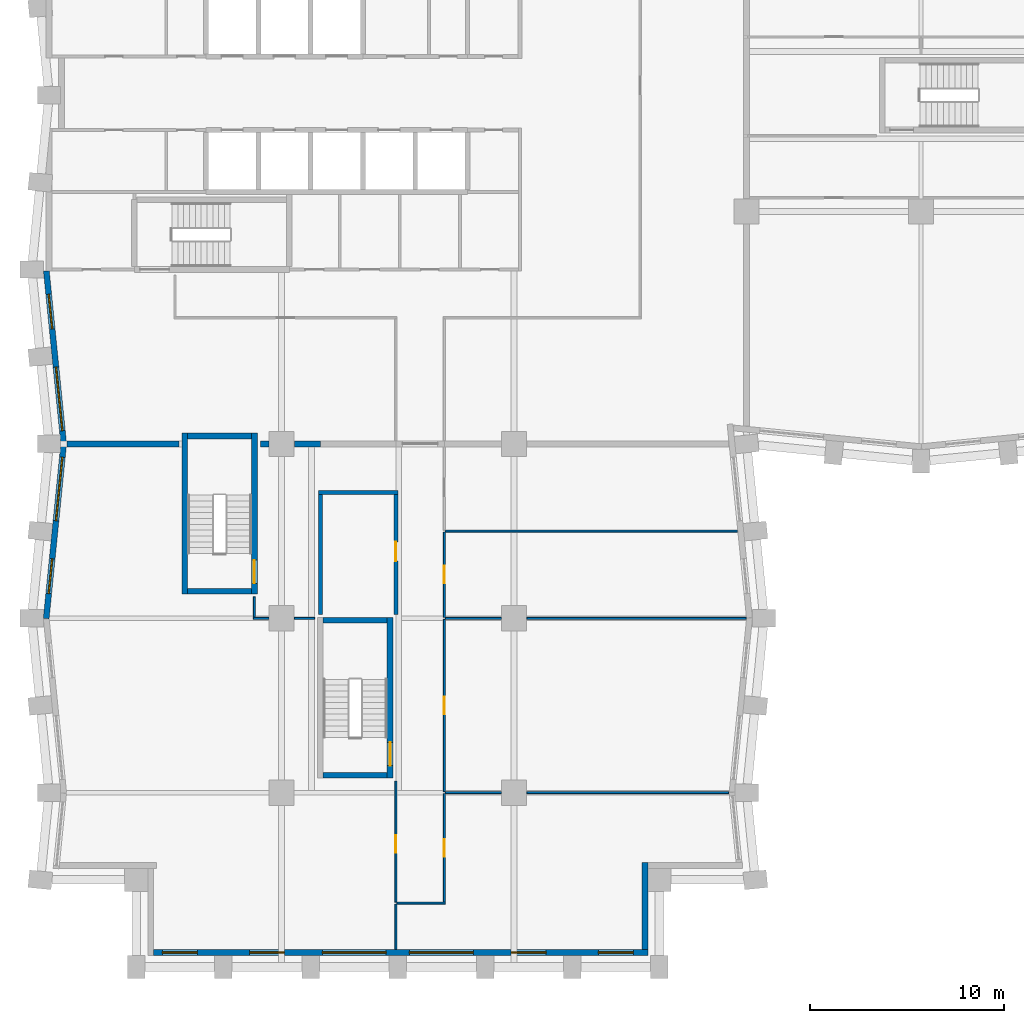
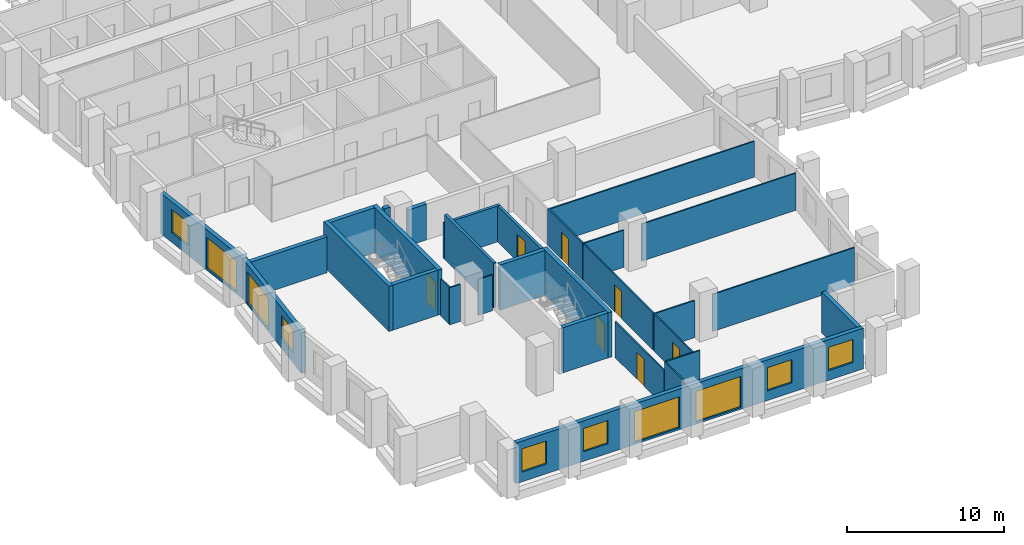
# One storey, part 3 of 11: 31 walls, 10 windows, 7 doors, 17 openings.
"""IFC4 building model written with IfcOpenShell, lengths in metres."""

from ifc_helpers import new_model, si_unit, direction, frame, frame_2d, origin, place, context, subcontext, project, spatial, rectangle, extrude, material, layer, layer_set, type_object, element, fill, save


model = new_model("IFC4")

# Units and contexts
model_context = context("Model", 3, precision=1e-05, world=origin(), true_north=direction((0.0, 1.0)))
body_context = subcontext(model_context, "Body", "Model", "MODEL_VIEW")
ifc_project = project(units=[si_unit("LENGTHUNIT", "METRE"), si_unit("AREAUNIT", "SQUARE_METRE"), si_unit("VOLUMEUNIT", "CUBIC_METRE"), si_unit("PLANEANGLEUNIT", "RADIAN"), si_unit("MASSUNIT", "GRAM", prefix="KILO")], contexts=[model_context])

# Site, building, storey
site_placement = place(None, origin())
site = spatial("IfcSite", under=ifc_project, at=site_placement, CompositionType="ELEMENT")
building_placement = place(site_placement, origin())
building = spatial("IfcBuilding", under=site, at=building_placement, Name="Brondeck Convention Tower", CompositionType="ELEMENT")
storey_placement = place(building_placement, frame((0.0, 0.0, 103.699951171875)))
storey = spatial("IfcBuildingStorey", under=building, at=storey_placement, Name="L24", CompositionType="ELEMENT", Elevation=103.699951171875)

# Walls
ifc_material_1 = material(Name="Concrete compartment wall C30/37", Category="concrete")
ifc_layer_1 = layer(ifc_material_1, 0.300048828125)
ifc_layer_set_1 = layer_set([ifc_layer_1], Name="Compartment wall 300")
wall_type_1 = type_object("IfcWallType", Name="Compartment wall 300", PredefinedType="PARTITIONING", material=ifc_layer_set_1)
wall_1_placement = place(storey_placement, frame((0.924560546875, 27.0, 0.0), z_axis=(0.0, 0.0, 1.0), x_axis=(1.0, 0.0, 0.0)))
element("IfcWall", 1, at=wall_1_placement, inside=storey, type_object=wall_type_1, Name="FLR-L24-W019", PredefinedType="PARTITIONING", context=body_context, shape_type="SweptSolid", body=[
    extrude(rectangle(XDim=5.775390625, YDim=0.300048828125, at=frame_2d((2.8876953125, 0.0))), origin(), (0.0, 0.0, 1.0), 2.780029296875),
])
wall_2_placement = place(storey_placement, frame((10.89990234375, 27.0, 0.0), z_axis=(0.0, 0.0, 1.0), x_axis=(1.0, 0.0, 0.0)))
element("IfcWall", 2, at=wall_2_placement, inside=storey, type_object=wall_type_1, Name="FLR-L24-W020", PredefinedType="PARTITIONING", context=body_context, shape_type="SweptSolid", body=[
    extrude(rectangle(XDim=0.445068359375, YDim=0.300048828125, at=frame_2d((0.22265625, 0.0))), origin(), (0.0, 0.0, 1.0), 3.47998046875),
])
wall_3_placement = place(storey_placement, frame((12.655029296875, 27.0, 0.0), z_axis=(0.0, 0.0, 1.0), x_axis=(1.0, 0.0, 0.0)))
element("IfcWall", 3, at=wall_3_placement, inside=storey, type_object=wall_type_1, Name="FLR-L24-W021", PredefinedType="PARTITIONING", context=body_context, shape_type="SweptSolid", body=[
    extrude(rectangle(XDim=1.344970703125, YDim=0.300048828125, at=frame_2d((0.67236328125, 0.0))), origin(), (0.0, 0.0, 1.0), 2.780029296875),
])

# Wall, openings, windows
ifc_material_2 = material(Name="Precast concrete C50/60 bronze finish", Category="concrete")
ifc_layer_2 = layer(ifc_material_2, 0.070068359375, Name="Bronze precast facing")
ifc_material_3 = material(Name="Mineral wool")
ifc_layer_3 = layer(ifc_material_3, 0.159912109375, Name="Insulation")
ifc_material_4 = material(Name="Concrete C35/45", Category="concrete")
ifc_layer_4 = layer(ifc_material_4, 0.070068359375, Name="Backing")
ifc_layer_set_2 = layer_set([ifc_layer_2, ifc_layer_3, ifc_layer_4], Name="External infill wall, precast concrete C50/60 bronze facing")
wall_type_2 = type_object("IfcWallType", Name="External infill wall, precast concrete C50/60 bronze facing", PredefinedType="SOLIDWALL", material=ifc_layer_set_2)
wall_4_placement = place(storey_placement, frame((30.89990234375, 0.75, 0.0), z_axis=(0.0, 0.0, 1.0), x_axis=(-1.0, 0.0, 0.0)))
wall_4 = element("IfcWall", 4, at=wall_4_placement, inside=storey, type_object=wall_type_2, Name="ENV-EW-L24-P0-B-S0-01", PredefinedType="SOLIDWALL", context=body_context, shape_type="SweptSolid", body=[
    extrude(rectangle(XDim=25.5, YDim=0.300048828125, at=frame_2d((12.75, 0.0))), origin(), (0.0, 0.0, 1.0), 3.150146484375),
])
opening_1_placement = place(wall_4_placement, frame((0.75, 0.0, 0.75)))
opening_1 = element("IfcOpeningElement", 5, at=opening_1_placement, cuts=wall_4, Name="Opening W10", PredefinedType="OPENING", context=body_context, shape_type="SweptSolid", body=[
    extrude(rectangle(XDim=1.800048828125, YDim=1.800048828125, at=frame_2d((0.89990234375, 0.89990234375))), frame((0.0, 0.159912109375, 0.0), z_axis=(0.0, -1.0, 0.0), x_axis=(1.0, 0.0, 0.0)), (0.0, 0.0, 1.0), 0.320068359375),
])
opening_2_placement = place(wall_4_placement, frame((5.25, 0.0, 0.75)))
opening_2 = element("IfcOpeningElement", 6, at=opening_2_placement, cuts=wall_4, Name="Opening W10", PredefinedType="OPENING", context=body_context, shape_type="SweptSolid", body=[
    extrude(rectangle(XDim=1.800048828125, YDim=1.800048828125, at=frame_2d((0.89990234375, 0.89990234375))), frame((0.0, 0.159912109375, 0.0), z_axis=(0.0, -1.0, 0.0), x_axis=(1.0, 0.0, 0.0)), (0.0, 0.0, 1.0), 0.320068359375),
])
opening_3_placement = place(wall_4_placement, frame((9.0, 0.0, 0.14990234375)))
opening_3 = element("IfcOpeningElement", 7, at=opening_3_placement, cuts=wall_4, Name="Opening W9", PredefinedType="OPENING", context=body_context, shape_type="SweptSolid", body=[
    extrude(rectangle(XDim=3.300048828125, YDim=2.39990234375, at=frame_2d((1.64990234375, 1.199951171875))), frame((0.0, 0.159912109375, 0.0), z_axis=(0.0, -1.0, 0.0), x_axis=(1.0, 0.0, 0.0)), (0.0, 0.0, 1.0), 0.320068359375),
])
opening_4_placement = place(wall_4_placement, frame((13.5, 0.0, 0.14990234375)))
opening_4 = element("IfcOpeningElement", 8, at=opening_4_placement, cuts=wall_4, Name="Opening W9", PredefinedType="OPENING", context=body_context, shape_type="SweptSolid", body=[
    extrude(rectangle(XDim=3.300048828125, YDim=2.39990234375, at=frame_2d((1.64990234375, 1.199951171875))), frame((0.0, 0.159912109375, 0.0), z_axis=(0.0, -1.0, 0.0), x_axis=(1.0, 0.0, 0.0)), (0.0, 0.0, 1.0), 0.320068359375),
])
opening_5_placement = place(wall_4_placement, frame((18.75, 0.0, 0.75)))
opening_5 = element("IfcOpeningElement", 9, at=opening_5_placement, cuts=wall_4, Name="Opening W10", PredefinedType="OPENING", context=body_context, shape_type="SweptSolid", body=[
    extrude(rectangle(XDim=1.800048828125, YDim=1.800048828125, at=frame_2d((0.89990234375, 0.89990234375))), frame((0.0, 0.159912109375, 0.0), z_axis=(0.0, -1.0, 0.0), x_axis=(1.0, 0.0, 0.0)), (0.0, 0.0, 1.0), 0.320068359375),
])
opening_6_placement = place(wall_4_placement, frame((23.25, 0.0, 0.75)))
opening_6 = element("IfcOpeningElement", 10, at=opening_6_placement, cuts=wall_4, Name="Opening W10", PredefinedType="OPENING", context=body_context, shape_type="SweptSolid", body=[
    extrude(rectangle(XDim=1.800048828125, YDim=1.800048828125, at=frame_2d((0.89990234375, 0.89990234375))), frame((0.0, 0.159912109375, 0.0), z_axis=(0.0, -1.0, 0.0), x_axis=(1.0, 0.0, 0.0)), (0.0, 0.0, 1.0), 0.320068359375),
])
ifc_material_5 = material(Name="Bronze tinted double glazing", Category="glass")
window_type_1 = type_object("IfcWindowType", Name="Glazed flute window, bronze tinted", PartitioningType="SINGLE_PANEL", PredefinedType="WINDOW", material=ifc_material_5)
window_1_placement = place(opening_3_placement, origin())
window_1 = element("IfcWindow", 11, at=window_1_placement, inside=storey, type_object=window_type_1, Name="ENV-WN-L24-P0-B-S0-04", OverallHeight=2.39990234375, OverallWidth=3.300048828125, PartitioningType="SINGLE_PANEL", PredefinedType="WINDOW", context=body_context, shape_type="SweptSolid", body=[
    extrude(rectangle(XDim=3.300048828125, YDim=2.39990234375, at=frame_2d((1.64990234375, 1.199951171875))), frame((0.0, 0.030029296875, 0.0), z_axis=(0.0, -1.0, 0.0), x_axis=(1.0, 0.0, 0.0)), (0.0, 0.0, 1.0), 0.06005859375),
])
fill(opening_3, window_1)
window_2_placement = place(opening_4_placement, origin())
window_2 = element("IfcWindow", 12, at=window_2_placement, inside=storey, type_object=window_type_1, Name="ENV-WN-L24-P0-B-S0-03", OverallHeight=2.39990234375, OverallWidth=3.300048828125, PartitioningType="SINGLE_PANEL", PredefinedType="WINDOW", context=body_context, shape_type="SweptSolid", body=[
    extrude(rectangle(XDim=3.300048828125, YDim=2.39990234375, at=frame_2d((1.64990234375, 1.199951171875))), frame((0.0, 0.030029296875, 0.0), z_axis=(0.0, -1.0, 0.0), x_axis=(1.0, 0.0, 0.0)), (0.0, 0.0, 1.0), 0.06005859375),
])
fill(opening_4, window_2)
window_type_2 = type_object("IfcWindowType", Name="Punched window, bronze tinted", PartitioningType="SINGLE_PANEL", PredefinedType="WINDOW", material=ifc_material_5)
window_3_placement = place(opening_1_placement, origin())
window_3 = element("IfcWindow", 13, at=window_3_placement, inside=storey, type_object=window_type_2, Name="ENV-WN-L24-P0-B-S0-06", OverallHeight=1.800048828125, OverallWidth=1.800048828125, PartitioningType="SINGLE_PANEL", PredefinedType="WINDOW", context=body_context, shape_type="SweptSolid", body=[
    extrude(rectangle(XDim=1.800048828125, YDim=1.800048828125, at=frame_2d((0.89990234375, 0.89990234375))), frame((0.0, 0.030029296875, 0.0), z_axis=(0.0, -1.0, 0.0), x_axis=(1.0, 0.0, 0.0)), (0.0, 0.0, 1.0), 0.06005859375),
])
fill(opening_1, window_3)
window_4_placement = place(opening_2_placement, origin())
window_4 = element("IfcWindow", 14, at=window_4_placement, inside=storey, type_object=window_type_2, Name="ENV-WN-L24-P0-B-S0-05", OverallHeight=1.800048828125, OverallWidth=1.800048828125, PartitioningType="SINGLE_PANEL", PredefinedType="WINDOW", context=body_context, shape_type="SweptSolid", body=[
    extrude(rectangle(XDim=1.800048828125, YDim=1.800048828125, at=frame_2d((0.89990234375, 0.89990234375))), frame((0.0, 0.030029296875, 0.0), z_axis=(0.0, -1.0, 0.0), x_axis=(1.0, 0.0, 0.0)), (0.0, 0.0, 1.0), 0.06005859375),
])
fill(opening_2, window_4)
window_5_placement = place(opening_5_placement, origin())
window_5 = element("IfcWindow", 15, at=window_5_placement, inside=storey, type_object=window_type_2, Name="ENV-WN-L24-P0-B-S0-02", OverallHeight=1.800048828125, OverallWidth=1.800048828125, PartitioningType="SINGLE_PANEL", PredefinedType="WINDOW", context=body_context, shape_type="SweptSolid", body=[
    extrude(rectangle(XDim=1.800048828125, YDim=1.800048828125, at=frame_2d((0.89990234375, 0.89990234375))), frame((0.0, 0.030029296875, 0.0), z_axis=(0.0, -1.0, 0.0), x_axis=(1.0, 0.0, 0.0)), (0.0, 0.0, 1.0), 0.06005859375),
])
fill(opening_5, window_5)
window_6_placement = place(opening_6_placement, origin())
window_6 = element("IfcWindow", 16, at=window_6_placement, inside=storey, type_object=window_type_2, Name="ENV-WN-L24-P0-B-S0-01", OverallHeight=1.800048828125, OverallWidth=1.800048828125, PartitioningType="SINGLE_PANEL", PredefinedType="WINDOW", context=body_context, shape_type="SweptSolid", body=[
    extrude(rectangle(XDim=1.800048828125, YDim=1.800048828125, at=frame_2d((0.89990234375, 0.89990234375))), frame((0.0, 0.030029296875, 0.0), z_axis=(0.0, -1.0, 0.0), x_axis=(1.0, 0.0, 0.0)), (0.0, 0.0, 1.0), 0.06005859375),
])
fill(opening_6, window_6)

# Wall
wall_5_placement = place(storey_placement, frame((30.75, 5.39990234375, 0.0), z_axis=(0.0, 0.0, 1.0), x_axis=(0.0, -1.0, 0.0)))
element("IfcWall", 17, at=wall_5_placement, inside=storey, type_object=wall_type_2, Name="ENV-EW-L24-P0-NC-SEB0-01", PredefinedType="SOLIDWALL", context=body_context, shape_type="SweptSolid", body=[
    extrude(rectangle(XDim=4.501953125, YDim=0.300048828125, at=frame_2d((2.2509765625, 0.0))), origin(), (0.0, 0.0, 1.0), 3.150146484375),
])

# Wall, openings, windows
wall_6_placement = place(storey_placement, frame((0.755126953125, 26.985107421875, 0.0), z_axis=(0.0, 0.0, 1.0), x_axis=(-0.099479505633, 0.995039611251, 0.0)))
wall_6 = element("IfcWall", 18, at=wall_6_placement, inside=storey, type_object=wall_type_2, Name="ENV-EW-L24-P0-B-W-06", PredefinedType="SOLIDWALL", context=body_context, shape_type="SweptSolid", body=[
    extrude(rectangle(XDim=8.98486328125, YDim=0.300048828125, at=frame_2d((4.492431640625, 0.0))), origin(), (0.0, 0.0, 1.0), 3.150146484375),
])
opening_7_placement = place(wall_6_placement, frame((0.701171875, 0.0, 0.14990234375)))
opening_7 = element("IfcOpeningElement", 19, at=opening_7_placement, cuts=wall_6, Name="Opening W9", PredefinedType="OPENING", context=body_context, shape_type="SweptSolid", body=[
    extrude(rectangle(XDim=3.300048828125, YDim=2.39990234375, at=frame_2d((1.64990234375, 1.199951171875))), frame((0.0, 0.159912109375, 0.0), z_axis=(0.0, -1.0, 0.0), x_axis=(1.0, 0.0, 0.0)), (0.0, 0.0, 1.0), 0.320068359375),
])
opening_8_placement = place(wall_6_placement, frame((5.9736328125, 0.0, 0.75)))
opening_8 = element("IfcOpeningElement", 20, at=opening_8_placement, cuts=wall_6, Name="Opening W10", PredefinedType="OPENING", context=body_context, shape_type="SweptSolid", body=[
    extrude(rectangle(XDim=1.800048828125, YDim=1.800048828125, at=frame_2d((0.89990234375, 0.89990234375))), frame((0.0, 0.159912109375, 0.0), z_axis=(0.0, -1.0, 0.0), x_axis=(1.0, 0.0, 0.0)), (0.0, 0.0, 1.0), 0.320068359375),
])
window_7_placement = place(opening_7_placement, origin())
window_7 = element("IfcWindow", 21, at=window_7_placement, inside=storey, type_object=window_type_1, Name="ENV-WN-L24-P0-B-W-07", OverallHeight=2.39990234375, OverallWidth=3.300048828125, PartitioningType="SINGLE_PANEL", PredefinedType="WINDOW", context=body_context, shape_type="SweptSolid", body=[
    extrude(rectangle(XDim=3.300048828125, YDim=2.39990234375, at=frame_2d((1.64990234375, 1.199951171875))), frame((0.0, 0.030029296875, 0.0), z_axis=(0.0, -1.0, 0.0), x_axis=(1.0, 0.0, 0.0)), (0.0, 0.0, 1.0), 0.06005859375),
])
fill(opening_7, window_7)
window_8_placement = place(opening_8_placement, origin())
window_8 = element("IfcWindow", 22, at=window_8_placement, inside=storey, type_object=window_type_2, Name="ENV-WN-L24-P0-B-W-06", OverallHeight=1.800048828125, OverallWidth=1.800048828125, PartitioningType="SINGLE_PANEL", PredefinedType="WINDOW", context=body_context, shape_type="SweptSolid", body=[
    extrude(rectangle(XDim=1.800048828125, YDim=1.800048828125, at=frame_2d((0.89990234375, 0.89990234375))), frame((0.0, 0.030029296875, 0.0), z_axis=(0.0, -1.0, 0.0), x_axis=(1.0, 0.0, 0.0)), (0.0, 0.0, 1.0), 0.06005859375),
])
fill(opening_8, window_8)

wall_7_placement = place(storey_placement, frame((-0.147705078125, 17.985107421875, 0.0), z_axis=(0.0, 0.0, 1.0), x_axis=(0.099495688264, 0.995037993253, 0.0)))
wall_7 = element("IfcWall", 23, at=wall_7_placement, inside=storey, type_object=wall_type_2, Name="ENV-EW-L24-P0-B-W-08", PredefinedType="SOLIDWALL", context=body_context, shape_type="SweptSolid", body=[
    extrude(rectangle(XDim=9.030029296875, YDim=0.300048828125, at=frame_2d((4.51513671875, 0.0))), origin(), (0.0, 0.0, 1.0), 3.150146484375),
])
opening_9_placement = place(wall_7_placement, frame((1.30126953125, 0.0, 0.75)))
opening_9 = element("IfcOpeningElement", 24, at=opening_9_placement, cuts=wall_7, Name="Opening W10", PredefinedType="OPENING", context=body_context, shape_type="SweptSolid", body=[
    extrude(rectangle(XDim=1.800048828125, YDim=1.800048828125, at=frame_2d((0.89990234375, 0.89990234375))), frame((0.0, 0.159912109375, 0.0), z_axis=(0.0, -1.0, 0.0), x_axis=(1.0, 0.0, 0.0)), (0.0, 0.0, 1.0), 0.320068359375),
])
opening_10_placement = place(wall_7_placement, frame((5.073486328125, 0.0, 0.14990234375)))
opening_10 = element("IfcOpeningElement", 25, at=opening_10_placement, cuts=wall_7, Name="Opening W9", PredefinedType="OPENING", context=body_context, shape_type="SweptSolid", body=[
    extrude(rectangle(XDim=3.300048828125, YDim=2.39990234375, at=frame_2d((1.64990234375, 1.199951171875))), frame((0.0, 0.159912109375, 0.0), z_axis=(0.0, -1.0, 0.0), x_axis=(1.0, 0.0, 0.0)), (0.0, 0.0, 1.0), 0.320068359375),
])
window_9_placement = place(opening_10_placement, origin())
window_9 = element("IfcWindow", 26, at=window_9_placement, inside=storey, type_object=window_type_1, Name="ENV-WN-L24-P0-B-W-08", OverallHeight=2.39990234375, OverallWidth=3.300048828125, PartitioningType="SINGLE_PANEL", PredefinedType="WINDOW", context=body_context, shape_type="SweptSolid", body=[
    extrude(rectangle(XDim=3.300048828125, YDim=2.39990234375, at=frame_2d((1.64990234375, 1.199951171875))), frame((0.0, 0.030029296875, 0.0), z_axis=(0.0, -1.0, 0.0), x_axis=(1.0, 0.0, 0.0)), (0.0, 0.0, 1.0), 0.06005859375),
])
fill(opening_10, window_9)
window_10_placement = place(opening_9_placement, origin())
window_10 = element("IfcWindow", 27, at=window_10_placement, inside=storey, type_object=window_type_2, Name="ENV-WN-L24-P0-B-W-09", OverallHeight=1.800048828125, OverallWidth=1.800048828125, PartitioningType="SINGLE_PANEL", PredefinedType="WINDOW", context=body_context, shape_type="SweptSolid", body=[
    extrude(rectangle(XDim=1.800048828125, YDim=1.800048828125, at=frame_2d((0.89990234375, 0.89990234375))), frame((0.0, 0.030029296875, 0.0), z_axis=(0.0, -1.0, 0.0), x_axis=(1.0, 0.0, 0.0)), (0.0, 0.0, 1.0), 0.06005859375),
])
fill(opening_9, window_10)

# Wall, opening, door
ifc_material_6 = material(Name="Concrete block wall C16/20", Category="concrete")
ifc_layer_5 = layer(ifc_material_6, 0.199951171875)
ifc_layer_set_3 = layer_set([ifc_layer_5], Name="Plant room wall 200")
wall_type_3 = type_object("IfcWallType", Name="Plant room wall 200", PredefinedType="PARTITIONING", material=ifc_layer_set_3)
wall_8_placement = place(storey_placement, frame((17.89990234375, 18.199951171875, 0.0), z_axis=(0.0, 0.0, 1.0), x_axis=(0.0, 1.0, 0.0)))
wall_8 = element("IfcWall", 28, at=wall_8_placement, inside=storey, type_object=wall_type_3, Name="FLR-L24-W013", PredefinedType="PARTITIONING", context=body_context, shape_type="SweptSolid", body=[
    extrude(rectangle(XDim=6.199951171875, YDim=0.199951171875, at=frame_2d((3.10009765625, 0.0))), origin(), (0.0, 0.0, 1.0), 2.780029296875),
])
opening_11_placement = place(wall_8_placement, frame((2.75, 0.0, 0.0)))
opening_11 = element("IfcOpeningElement", 29, at=opening_11_placement, cuts=wall_8, Name="Opening OF-B-001", PredefinedType="OPENING", context=body_context, shape_type="SweptSolid", body=[
    extrude(rectangle(XDim=1.0, YDim=2.10009765625, at=frame_2d((0.5, 1.050048828125))), frame((0.0, 0.10986328125, 0.0), z_axis=(0.0, -1.0, 0.0), x_axis=(1.0, 0.0, 0.0)), (0.0, 0.0, 1.0), 0.219970703125),
])
ifc_material_7 = material(Name="Steel fire door leaf", Category="steel")
door_type_1 = type_object("IfcDoorType", Name="Plant room door 1000", OperationType="NOTDEFINED", PredefinedType="DOOR", material=ifc_material_7)
door_1_placement = place(opening_11_placement, origin())
door_1 = element("IfcDoor", 30, at=door_1_placement, inside=storey, type_object=door_type_1, Name="Door OF-B-001", OperationType="SINGLE_SWING_LEFT", OverallHeight=2.10009765625, OverallWidth=1.0, PredefinedType="DOOR", context=body_context, shape_type="SweptSolid", body=[
    extrude(rectangle(XDim=1.0, YDim=2.10009765625, at=frame_2d((0.5, 1.050048828125))), frame((0.0, 0.02490234375, 0.0), z_axis=(0.0, -1.0, 0.0), x_axis=(1.0, 0.0, 0.0)), (0.0, 0.0, 1.0), 0.050048828125),
])
fill(opening_11, door_1)

# Walls
wall_9_placement = place(storey_placement, frame((14.0, 24.39990234375, 0.0), z_axis=(0.0, 0.0, 1.0), x_axis=(0.0, -1.0, 0.0)))
element("IfcWall", 31, at=wall_9_placement, inside=storey, type_object=wall_type_3, Name="FLR-L24-W016", PredefinedType="PARTITIONING", context=body_context, shape_type="SweptSolid", body=[
    extrude(rectangle(XDim=6.199951171875, YDim=0.199951171875, at=frame_2d((3.10009765625, 0.0))), origin(), (0.0, 0.0, 1.0), 3.47998046875),
])
wall_10_placement = place(storey_placement, frame((18.0, 24.5, 0.0), z_axis=(0.0, 0.0, 1.0), x_axis=(-1.0, 0.0, 0.0)))
element("IfcWall", 32, at=wall_10_placement, inside=storey, type_object=wall_type_3, Name="FLR-L24-W017", PredefinedType="PARTITIONING", context=body_context, shape_type="SweptSolid", body=[
    extrude(rectangle(XDim=4.10009765625, YDim=0.199951171875, at=frame_2d((2.050048828125, 0.0))), origin(), (0.0, 0.0, 1.0), 2.780029296875),
])
ifc_material_8 = material(Name="Gypsum board partition on steel studs", Category="steel")
ifc_layer_6 = layer(ifc_material_8, 0.10009765625)
ifc_layer_set_4 = layer_set([ifc_layer_6], Name="Room partition 100")
wall_type_4 = type_object("IfcWallType", Name="Room partition 100", PredefinedType="PARTITIONING", material=ifc_layer_set_4)
wall_11_placement = place(storey_placement, frame((17.89990234375, 0.919921875, 0.0), z_axis=(0.0, 0.0, 1.0), x_axis=(0.0, 1.0, 0.0)))
element("IfcWall", 33, at=wall_11_placement, inside=storey, type_object=wall_type_4, Name="FLR-L24-W001", PredefinedType="PARTITIONING", context=body_context, shape_type="SweptSolid", body=[
    extrude(rectangle(XDim=2.330078125, YDim=0.10009765625, at=frame_2d((1.1650390625, 0.0))), origin(), (0.0, 0.0, 1.0), 3.47998046875),
])
wall_12_placement = place(storey_placement, frame((20.449951171875, 3.300048828125, 0.0), z_axis=(0.0, 0.0, 1.0), x_axis=(-1.0, 0.0, 0.0)))
element("IfcWall", 34, at=wall_12_placement, inside=storey, type_object=wall_type_4, Name="FLR-L24-W002", PredefinedType="PARTITIONING", context=body_context, shape_type="SweptSolid", body=[
    extrude(rectangle(XDim=2.5, YDim=0.10009765625, at=frame_2d((1.25, 0.0))), origin(), (0.0, 0.0, 1.0), 3.47998046875),
])

# Wall, opening, door
wall_13_placement = place(storey_placement, frame((17.89990234375, 3.35009765625, 0.0), z_axis=(0.0, 0.0, 1.0), x_axis=(0.0, 1.0, 0.0)))
wall_13 = element("IfcWall", 35, at=wall_13_placement, inside=storey, type_object=wall_type_4, Name="FLR-L24-W003", PredefinedType="PARTITIONING", context=body_context, shape_type="SweptSolid", body=[
    extrude(rectangle(XDim=6.25, YDim=0.10009765625, at=frame_2d((3.125, 0.0))), origin(), (0.0, 0.0, 1.0), 2.780029296875),
])
opening_12_placement = place(wall_13_placement, frame((2.550048828125, 0.0, 0.0)))
opening_12 = element("IfcOpeningElement", 36, at=opening_12_placement, cuts=wall_13, Name="Opening OF-B-018", PredefinedType="OPENING", context=body_context, shape_type="SweptSolid", body=[
    extrude(rectangle(XDim=0.89990234375, YDim=2.10009765625, at=frame_2d((0.449951171875, 1.050048828125))), frame((0.0, 0.06005859375, 0.0), z_axis=(0.0, -1.0, 0.0), x_axis=(1.0, 0.0, 0.0)), (0.0, 0.0, 1.0), 0.1201171875),
])
ifc_material_9 = material(Name="Solid timber door leaf", Category="wood")
door_type_2 = type_object("IfcDoorType", Name="Single door 900", OperationType="NOTDEFINED", PredefinedType="DOOR", material=ifc_material_9)
door_2_placement = place(opening_12_placement, origin())
door_2 = element("IfcDoor", 37, at=door_2_placement, inside=storey, type_object=door_type_2, Name="Door OF-B-018", OperationType="SINGLE_SWING_LEFT", OverallHeight=2.10009765625, OverallWidth=0.89990234375, PredefinedType="DOOR", context=body_context, shape_type="SweptSolid", body=[
    extrude(rectangle(XDim=0.89990234375, YDim=2.10009765625, at=frame_2d((0.449951171875, 1.050048828125))), frame((0.0, 0.02490234375, 0.0), z_axis=(0.0, -1.0, 0.0), x_axis=(1.0, 0.0, 0.0)), (0.0, 0.0, 1.0), 0.050048828125),
])
fill(opening_12, door_2)

wall_14_placement = place(storey_placement, frame((20.39990234375, 8.949951171875, 0.0), z_axis=(0.0, 0.0, 1.0), x_axis=(0.0, -1.0, 0.0)))
wall_14 = element("IfcWall", 38, at=wall_14_placement, inside=storey, type_object=wall_type_4, Name="FLR-L24-W004", PredefinedType="PARTITIONING", context=body_context, shape_type="SweptSolid", body=[
    extrude(rectangle(XDim=5.599853515625, YDim=0.10009765625, at=frame_2d((2.7998046875, 0.0))), origin(), (0.0, 0.0, 1.0), 2.880126953125),
])
opening_13_placement = place(wall_14_placement, frame((2.35009765625, 0.0, 0.0)))
opening_13 = element("IfcOpeningElement", 39, at=opening_13_placement, cuts=wall_14, Name="Opening OF-B-017", PredefinedType="OPENING", context=body_context, shape_type="SweptSolid", body=[
    extrude(rectangle(XDim=0.89990234375, YDim=2.10009765625, at=frame_2d((0.449951171875, 1.050048828125))), frame((0.0, 0.06005859375, 0.0), z_axis=(0.0, -1.0, 0.0), x_axis=(1.0, 0.0, 0.0)), (0.0, 0.0, 1.0), 0.1201171875),
])
door_3_placement = place(opening_13_placement, origin())
door_3 = element("IfcDoor", 40, at=door_3_placement, inside=storey, type_object=door_type_2, Name="Door OF-B-017", OperationType="SINGLE_SWING_LEFT", OverallHeight=2.10009765625, OverallWidth=0.89990234375, PredefinedType="DOOR", context=body_context, shape_type="SweptSolid", body=[
    extrude(rectangle(XDim=0.89990234375, YDim=2.10009765625, at=frame_2d((0.449951171875, 1.050048828125))), frame((0.0, 0.02490234375, 0.0), z_axis=(0.0, -1.0, 0.0), x_axis=(1.0, 0.0, 0.0)), (0.0, 0.0, 1.0), 0.050048828125),
])
fill(opening_13, door_3)

# Walls
wall_15_placement = place(storey_placement, frame((23.344970703125, 9.0, 0.0), z_axis=(0.0, 0.0, 1.0), x_axis=(-1.0, 0.0, 0.0)))
element("IfcWall", 41, at=wall_15_placement, inside=storey, type_object=wall_type_4, Name="FLR-L24-W005", PredefinedType="PARTITIONING", context=body_context, shape_type="SweptSolid", body=[
    extrude(rectangle(XDim=2.89501953125, YDim=0.10009765625, at=frame_2d((1.447509765625, 0.0))), origin(), (0.0, 0.0, 1.0), 2.880126953125),
])
wall_16_placement = place(storey_placement, frame((35.075439453125, 9.0, 0.0), z_axis=(0.0, 0.0, 1.0), x_axis=(-1.0, 0.0, 0.0)))
element("IfcWall", 42, at=wall_16_placement, inside=storey, type_object=wall_type_4, Name="FLR-L24-W006", PredefinedType="PARTITIONING", context=body_context, shape_type="SweptSolid", body=[
    extrude(rectangle(XDim=10.42041015625, YDim=0.10009765625, at=frame_2d((5.210205078125, 0.0))), origin(), (0.0, 0.0, 1.0), 2.880126953125),
])

# Wall, opening, door
wall_17_placement = place(storey_placement, frame((20.39990234375, 17.949951171875, 0.0), z_axis=(0.0, 0.0, 1.0), x_axis=(0.0, -1.0, 0.0)))
wall_17 = element("IfcWall", 43, at=wall_17_placement, inside=storey, type_object=wall_type_4, Name="FLR-L24-W007", PredefinedType="PARTITIONING", context=body_context, shape_type="SweptSolid", body=[
    extrude(rectangle(XDim=8.89990234375, YDim=0.10009765625, at=frame_2d((4.449951171875, 0.0))), origin(), (0.0, 0.0, 1.0), 2.880126953125),
])
opening_14_placement = place(wall_17_placement, frame((4.0, 0.0, 0.0)))
opening_14 = element("IfcOpeningElement", 44, at=opening_14_placement, cuts=wall_17, Name="Opening OF-B-016", PredefinedType="OPENING", context=body_context, shape_type="SweptSolid", body=[
    extrude(rectangle(XDim=0.89990234375, YDim=2.10009765625, at=frame_2d((0.449951171875, 1.050048828125))), frame((0.0, 0.06005859375, 0.0), z_axis=(0.0, -1.0, 0.0), x_axis=(1.0, 0.0, 0.0)), (0.0, 0.0, 1.0), 0.1201171875),
])
door_4_placement = place(opening_14_placement, origin())
door_4 = element("IfcDoor", 45, at=door_4_placement, inside=storey, type_object=door_type_2, Name="Door OF-B-016", OperationType="SINGLE_SWING_LEFT", OverallHeight=2.10009765625, OverallWidth=0.89990234375, PredefinedType="DOOR", context=body_context, shape_type="SweptSolid", body=[
    extrude(rectangle(XDim=0.89990234375, YDim=2.10009765625, at=frame_2d((0.449951171875, 1.050048828125))), frame((0.0, 0.02490234375, 0.0), z_axis=(0.0, -1.0, 0.0), x_axis=(1.0, 0.0, 0.0)), (0.0, 0.0, 1.0), 0.050048828125),
])
fill(opening_14, door_4)

# Walls
wall_18_placement = place(storey_placement, frame((11.344970703125, 18.0, 0.0), z_axis=(0.0, 0.0, 1.0), x_axis=(-1.0, 0.0, 0.0)))
element("IfcWall", 46, at=wall_18_placement, inside=storey, type_object=wall_type_4, Name="FLR-L24-W008", PredefinedType="PARTITIONING", context=body_context, shape_type="SweptSolid", body=[
    extrude(rectangle(XDim=0.794921875, YDim=0.10009765625, at=frame_2d((0.3974609375, 0.0))), origin(), (0.0, 0.0, 1.0), 2.880126953125),
])
wall_19_placement = place(storey_placement, frame((13.699951171875, 18.0, 0.0), z_axis=(0.0, 0.0, 1.0), x_axis=(-1.0, 0.0, 0.0)))
element("IfcWall", 47, at=wall_19_placement, inside=storey, type_object=wall_type_4, Name="FLR-L24-W009", PredefinedType="PARTITIONING", context=body_context, shape_type="SweptSolid", body=[
    extrude(rectangle(XDim=1.044921875, YDim=0.10009765625, at=frame_2d((0.5224609375, 0.0))), origin(), (0.0, 0.0, 1.0), 2.780029296875),
])
wall_20_placement = place(storey_placement, frame((23.344970703125, 18.0, 0.0), z_axis=(0.0, 0.0, 1.0), x_axis=(-1.0, 0.0, 0.0)))
element("IfcWall", 48, at=wall_20_placement, inside=storey, type_object=wall_type_4, Name="FLR-L24-W010", PredefinedType="PARTITIONING", context=body_context, shape_type="SweptSolid", body=[
    extrude(rectangle(XDim=2.89501953125, YDim=0.10009765625, at=frame_2d((1.447509765625, 0.0))), origin(), (0.0, 0.0, 1.0), 2.880126953125),
])
wall_21_placement = place(storey_placement, frame((35.9755859375, 18.0, 0.0), z_axis=(0.0, 0.0, 1.0), x_axis=(-1.0, 0.0, 0.0)))
element("IfcWall", 49, at=wall_21_placement, inside=storey, type_object=wall_type_4, Name="FLR-L24-W011", PredefinedType="PARTITIONING", context=body_context, shape_type="SweptSolid", body=[
    extrude(rectangle(XDim=11.320556640625, YDim=0.10009765625, at=frame_2d((5.66015625, 0.0))), origin(), (0.0, 0.0, 1.0), 2.880126953125),
])
wall_22_placement = place(storey_placement, frame((10.60009765625, 18.050048828125, 0.0), z_axis=(0.0, 0.0, 1.0), x_axis=(0.0, 1.0, 0.0)))
element("IfcWall", 50, at=wall_22_placement, inside=storey, type_object=wall_type_4, Name="FLR-L24-W012", PredefinedType="PARTITIONING", context=body_context, shape_type="SweptSolid", body=[
    extrude(rectangle(XDim=1.050048828125, YDim=0.10009765625, at=frame_2d((0.52490234375, 0.0))), origin(), (0.0, 0.0, 1.0), 2.880126953125),
])

# Wall, opening, door
wall_23_placement = place(storey_placement, frame((20.39990234375, 22.449951171875, 0.0), z_axis=(0.0, 0.0, 1.0), x_axis=(0.0, -1.0, 0.0)))
wall_23 = element("IfcWall", 51, at=wall_23_placement, inside=storey, type_object=wall_type_4, Name="FLR-L24-W014", PredefinedType="PARTITIONING", context=body_context, shape_type="SweptSolid", body=[
    extrude(rectangle(XDim=4.39990234375, YDim=0.10009765625, at=frame_2d((2.199951171875, 0.0))), origin(), (0.0, 0.0, 1.0), 2.880126953125),
])
opening_15_placement = place(wall_23_placement, frame((1.75, 0.0, 0.0)))
opening_15 = element("IfcOpeningElement", 52, at=opening_15_placement, cuts=wall_23, Name="Opening OF-B-015", PredefinedType="OPENING", context=body_context, shape_type="SweptSolid", body=[
    extrude(rectangle(XDim=0.89990234375, YDim=2.10009765625, at=frame_2d((0.449951171875, 1.050048828125))), frame((0.0, 0.06005859375, 0.0), z_axis=(0.0, -1.0, 0.0), x_axis=(1.0, 0.0, 0.0)), (0.0, 0.0, 1.0), 0.1201171875),
])
door_5_placement = place(opening_15_placement, origin())
door_5 = element("IfcDoor", 53, at=door_5_placement, inside=storey, type_object=door_type_2, Name="Door OF-B-015", OperationType="SINGLE_SWING_RIGHT", OverallHeight=2.10009765625, OverallWidth=0.89990234375, PredefinedType="DOOR", context=body_context, shape_type="SweptSolid", body=[
    extrude(rectangle(XDim=0.89990234375, YDim=2.10009765625, at=frame_2d((0.449951171875, 1.050048828125))), frame((0.0, 0.02490234375, 0.0), z_axis=(0.0, -1.0, 0.0), x_axis=(1.0, 0.0, 0.0)), (0.0, 0.0, 1.0), 0.050048828125),
])
fill(opening_15, door_5)

# Walls
wall_24_placement = place(storey_placement, frame((35.525390625, 22.5, 0.0), z_axis=(0.0, 0.0, 1.0), x_axis=(-1.0, 0.0, 0.0)))
element("IfcWall", 54, at=wall_24_placement, inside=storey, type_object=wall_type_4, Name="FLR-L24-W015", PredefinedType="PARTITIONING", context=body_context, shape_type="SweptSolid", body=[
    extrude(rectangle(XDim=15.075439453125, YDim=0.10009765625, at=frame_2d((7.53759765625, 0.0))), origin(), (0.0, 0.0, 1.0), 2.780029296875),
])
ifc_material_10 = material(Name="Concrete C70/85", Category="concrete")
ifc_layer_7 = layer(ifc_material_10, 0.300048828125)
ifc_layer_set_5 = layer_set([ifc_layer_7], Name="Stair enclosure wall 300 Concrete C70/85")
wall_type_5 = type_object("IfcWallType", Name="Stair enclosure wall 300 Concrete C70/85", PredefinedType="SHEAR", material=ifc_layer_set_5)
for number, where, z_axis, x_axis, name in (
    (55, (14.14990234375, 9.89990234375, 0.0), (0.0, 0.0, 1.0), (1.0, 0.0, 0.0), "L24 core wall"),
    (56, (14.14990234375, 17.89990234375, 0.0), (0.0, 0.0, 1.0), (1.0, 0.0, 0.0), "L24 core wall"),
    (57, (7.14990234375, 19.39990234375, 0.0), (0.0, 0.0, 1.0), (1.0, 0.0, 0.0), "L24 core wall"),
    (58, (7.14990234375, 27.39990234375, 0.0), (0.0, 0.0, 1.0), (1.0, 0.0, 0.0), "L24 core wall"),
):
    element("IfcWall", number, at=place(storey_placement, frame(where, z_axis=z_axis, x_axis=x_axis)), inside=storey, type_object=wall_type_5, Name=name, PredefinedType="SHEAR", context=body_context, shape_type="SweptSolid", body=[
        extrude(rectangle(XDim=3.300048828125, YDim=0.300048828125, at=frame_2d((1.64990234375, 0.0))), origin(), (0.0, 0.0, 1.0), 3.5),
    ])
wall_25_placement = place(storey_placement, frame((7.0, 19.25, 0.0), z_axis=(0.0, 0.0, 1.0), x_axis=(0.0, 1.0, 0.0)))
element("IfcWall", 59, at=wall_25_placement, inside=storey, type_object=wall_type_5, Name="L24 core wall", PredefinedType="SHEAR", context=body_context, shape_type="SweptSolid", body=[
    extrude(rectangle(XDim=8.300048828125, YDim=0.300048828125, at=frame_2d((4.14990234375, 0.0))), origin(), (0.0, 0.0, 1.0), 3.5),
])

# Wall, opening, door
wall_26_placement = place(storey_placement, frame((10.60009765625, 19.25, 0.0), z_axis=(0.0, 0.0, 1.0), x_axis=(0.0, 1.0, 0.0)))
wall_26 = element("IfcWall", 60, at=wall_26_placement, inside=storey, type_object=wall_type_5, Name="L24 core wall", PredefinedType="SHEAR", context=body_context, shape_type="SweptSolid", body=[
    extrude(rectangle(XDim=8.300048828125, YDim=0.300048828125, at=frame_2d((4.14990234375, 0.0))), origin(), (0.0, 0.0, 1.0), 3.5),
])
opening_16_placement = place(wall_26_placement, frame((0.550048828125, 0.0, 0.0)))
opening_16 = element("IfcOpeningElement", 61, at=opening_16_placement, cuts=wall_26, Name="Opening C15-21", PredefinedType="OPENING", context=body_context, shape_type="SweptSolid", body=[
    extrude(rectangle(XDim=1.199951171875, YDim=2.199951171875, at=frame_2d((0.60009765625, 1.10009765625))), frame((0.0, 0.159912109375, 0.0), z_axis=(0.0, -1.0, 0.0), x_axis=(1.0, 0.0, 0.0)), (0.0, 0.0, 1.0), 0.320068359375),
])
ifc_material_11 = material(Name="Steel fire door", Category="steel")
door_type_3 = type_object("IfcDoorType", Name="Stair door 1200x2200 EI 90", OperationType="NOTDEFINED", PredefinedType="DOOR", material=ifc_material_11)
door_6_placement = place(opening_16_placement, origin())
door_6 = element("IfcDoor", 62, at=door_6_placement, inside=storey, type_object=door_type_3, Name="L24 Stair door ST-BE", OperationType="SINGLE_SWING_RIGHT", OverallHeight=2.199951171875, OverallWidth=1.199951171875, PredefinedType="DOOR", context=body_context, shape_type="SweptSolid", body=[
    extrude(rectangle(XDim=1.199951171875, YDim=2.199951171875, at=frame_2d((0.60009765625, 1.10009765625))), frame((0.0, 0.02490234375, 0.0), z_axis=(0.0, -1.0, 0.0), x_axis=(1.0, 0.0, 0.0)), (0.0, 0.0, 1.0), 0.050048828125),
])
fill(opening_16, door_6)

wall_27_placement = place(storey_placement, frame((17.60009765625, 9.75, 0.0), z_axis=(0.0, 0.0, 1.0), x_axis=(0.0, 1.0, 0.0)))
wall_27 = element("IfcWall", 63, at=wall_27_placement, inside=storey, type_object=wall_type_5, Name="L24 core wall", PredefinedType="SHEAR", context=body_context, shape_type="SweptSolid", body=[
    extrude(rectangle(XDim=8.300048828125, YDim=0.300048828125, at=frame_2d((4.14990234375, 0.0))), origin(), (0.0, 0.0, 1.0), 3.5),
])
opening_17_placement = place(wall_27_placement, frame((0.64990234375, 0.0, 0.0)))
opening_17 = element("IfcOpeningElement", 64, at=opening_17_placement, cuts=wall_27, Name="Opening C15-22", PredefinedType="OPENING", context=body_context, shape_type="SweptSolid", body=[
    extrude(rectangle(XDim=1.199951171875, YDim=2.199951171875, at=frame_2d((0.60009765625, 1.10009765625))), frame((0.0, 0.159912109375, 0.0), z_axis=(0.0, -1.0, 0.0), x_axis=(1.0, 0.0, 0.0)), (0.0, 0.0, 1.0), 0.320068359375),
])
door_7_placement = place(opening_17_placement, origin())
door_7 = element("IfcDoor", 65, at=door_7_placement, inside=storey, type_object=door_type_3, Name="L24 Stair door ST-BF", OperationType="SINGLE_SWING_LEFT", OverallHeight=2.199951171875, OverallWidth=1.199951171875, PredefinedType="DOOR", context=body_context, shape_type="SweptSolid", body=[
    extrude(rectangle(XDim=1.199951171875, YDim=2.199951171875, at=frame_2d((0.60009765625, 1.10009765625))), frame((0.0, 0.02490234375, 0.0), z_axis=(0.0, -1.0, 0.0), x_axis=(1.0, 0.0, 0.0)), (0.0, 0.0, 1.0), 0.050048828125),
])
fill(opening_17, door_7)

save(model, "model.ifc")
